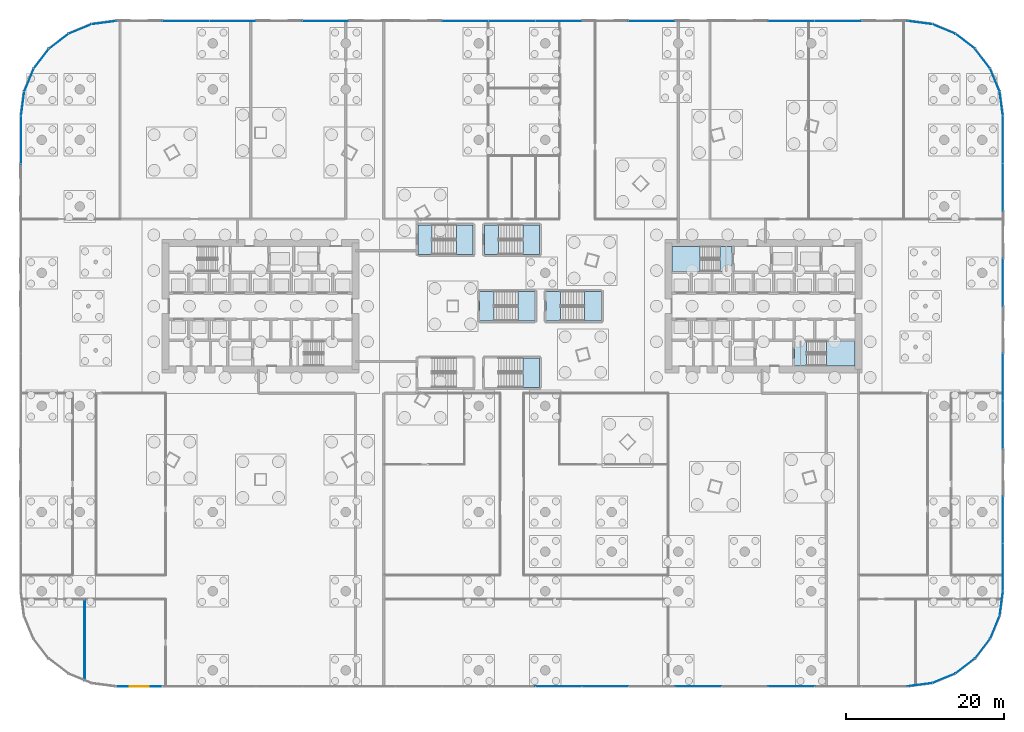
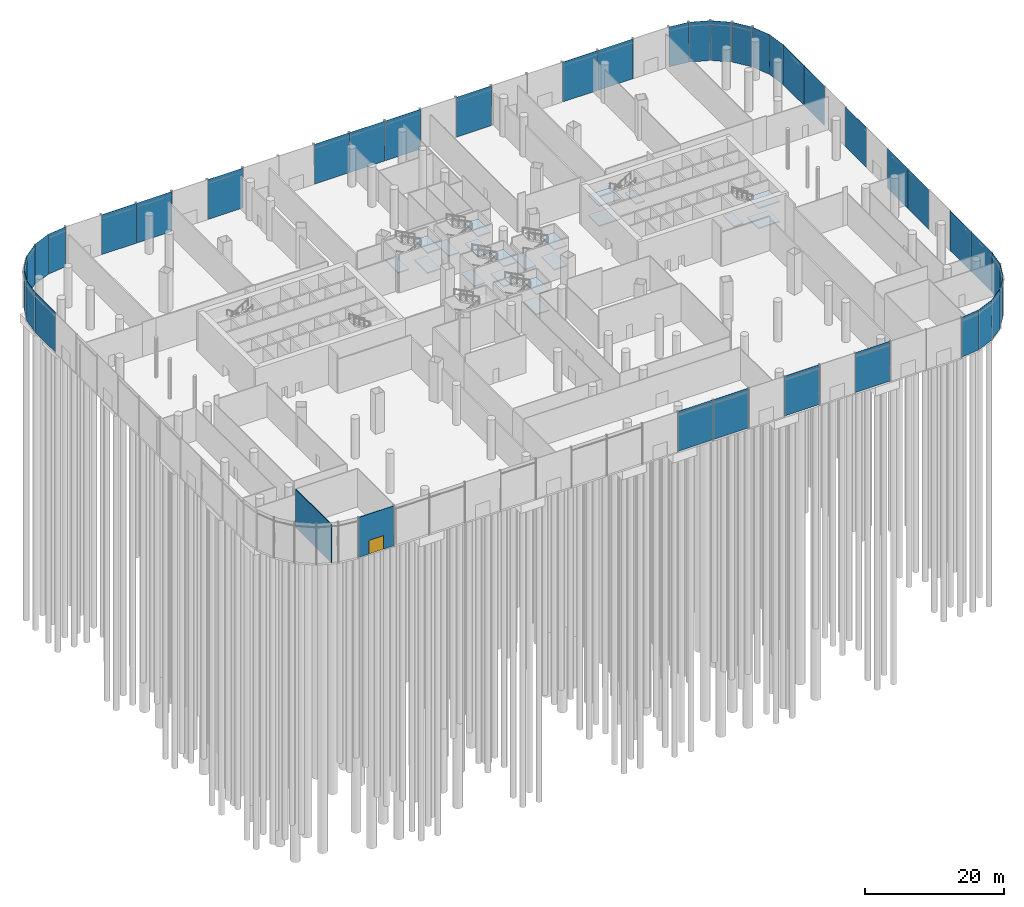
# One storey, part 22 of 41: 39 plates, 20 slabs, 2 walls, 1 door, 1 opening, 8 elements without a shape of their own.
"""IFC4 building model written with IfcOpenShell, lengths in metres."""

from ifc_helpers import new_model, si_unit, direction, frame, frame_2d, origin, origin_2d, place, context, subcontext, project, spatial, polyline, rectangle, outline, extrude, material, layer, layer_set, type_object, element, fill, aggregate, save


model = new_model("IFC4")

# Units and contexts
model_context = context("Model", 3, precision=1e-05, world=origin(), true_north=direction((0.0, 1.0)))
body_context = subcontext(model_context, "Body", "Model", "MODEL_VIEW")
ifc_project = project(units=[si_unit("LENGTHUNIT", "METRE"), si_unit("AREAUNIT", "SQUARE_METRE"), si_unit("VOLUMEUNIT", "CUBIC_METRE"), si_unit("PLANEANGLEUNIT", "RADIAN"), si_unit("MASSUNIT", "GRAM", prefix="KILO")], contexts=[model_context])

# Site, building, storey
site_placement = place(None, origin())
site = spatial("IfcSite", under=ifc_project, at=site_placement, CompositionType="ELEMENT")
building_placement = place(site_placement, origin())
building = spatial("IfcBuilding", under=site, at=building_placement, Name="Rimbun Link Towers", CompositionType="ELEMENT")
storey_placement = place(building_placement, origin())
storey = spatial("IfcBuildingStorey", under=building, at=storey_placement, Name="L00", CompositionType="ELEMENT", Elevation=0.0)

# Curtain wall, plates
ifc_material_1 = material(Name="Aluminium 6063-T6 and low-iron glass", Category="aluminium")
curtain_wall_type = type_object("IfcCurtainWallType", Name="CW3 podium shopfront", PredefinedType="NOTDEFINED", material=ifc_material_1)
curtain_wall_placement = place(storey_placement, origin())
curtain_wall = element("IfcCurtainWall", 1, at=curtain_wall_placement, inside=storey, type_object=curtain_wall_type, Name="CW3 L00 PD", PredefinedType="NOTDEFINED")
ifc_material_2 = material(Name="Clear toughened low-iron glass", Category="glass")
ifc_layer_1 = layer(ifc_material_2, 0.02392578125)
ifc_layer_set_1 = layer_set([ifc_layer_1], Name="CW3 panel Clear toughened low-iron glass 24")
plate_type = type_object("IfcPlateType", Name="CW3 panel Clear toughened low-iron glass 24", PredefinedType="CURTAIN_PANEL", material=ifc_layer_set_1)
plate_1_placement = place(storey_placement, frame((51.554443359375, -47.807373046875, 0.0), z_axis=(0.0, 0.0, 1.0), x_axis=(-0.991444296525, -0.130530482602, 0.0)))
plate_1 = element("IfcPlate", 2, at=plate_1_placement, type_object=plate_type, Name="CW3 panel", PredefinedType="CURTAIN_PANEL", context=body_context, shape_type="SweptSolid", body=[
    extrude(rectangle(XDim=3.092529296875, YDim=0.02392578125, at=origin_2d()), origin(), (0.0, 0.0, 1.0), 7.0),
])
plate_2_placement = place(storey_placement, frame((54.557373046875, -47.002685546875, 0.0), z_axis=(0.0, 0.0, 1.0), x_axis=(-0.923881438965, -0.382678829747, 0.0)))
plate_2 = element("IfcPlate", 3, at=plate_2_placement, type_object=plate_type, Name="CW3 panel", PredefinedType="CURTAIN_PANEL", context=body_context, shape_type="SweptSolid", body=[
    extrude(rectangle(XDim=3.0927734375, YDim=0.02392578125, at=origin_2d()), origin(), (0.0, 0.0, 1.0), 7.0),
])
plate_3_placement = place(storey_placement, frame((57.25, -45.4482421875, 0.0), z_axis=(0.0, 0.0, 1.0), x_axis=(-0.793359162281, -0.608753841569, 0.0)))
plate_3 = element("IfcPlate", 4, at=plate_3_placement, type_object=plate_type, Name="CW3 panel", PredefinedType="CURTAIN_PANEL", context=body_context, shape_type="SweptSolid", body=[
    extrude(rectangle(XDim=3.092529296875, YDim=0.02392578125, at=origin_2d()), origin(), (0.0, 0.0, 1.0), 7.0),
])
plate_4_placement = place(storey_placement, frame((59.4482421875, -43.25, 0.0), z_axis=(0.0, 0.0, 1.0), x_axis=(-0.608753841569, -0.793359162281, 0.0)))
plate_4 = element("IfcPlate", 5, at=plate_4_placement, type_object=plate_type, Name="CW3 panel", PredefinedType="CURTAIN_PANEL", context=body_context, shape_type="SweptSolid", body=[
    extrude(rectangle(XDim=3.092529296875, YDim=0.02392578125, at=origin_2d()), origin(), (0.0, 0.0, 1.0), 7.0),
])
plate_5_placement = place(storey_placement, frame((61.002685546875, -40.557373046875, 0.0), z_axis=(0.0, 0.0, 1.0), x_axis=(-0.382678829747, -0.923881438965, 0.0)))
plate_5 = element("IfcPlate", 6, at=plate_5_placement, type_object=plate_type, Name="CW3 panel", PredefinedType="CURTAIN_PANEL", context=body_context, shape_type="SweptSolid", body=[
    extrude(rectangle(XDim=3.0927734375, YDim=0.02392578125, at=origin_2d()), origin(), (0.0, 0.0, 1.0), 7.0),
])
plate_6_placement = place(storey_placement, frame((61.807373046875, -37.554443359375, 0.0), z_axis=(0.0, 0.0, 1.0), x_axis=(-0.130530482602, -0.991444296525, 0.0)))
plate_6 = element("IfcPlate", 7, at=plate_6_placement, type_object=plate_type, Name="CW3 panel", PredefinedType="CURTAIN_PANEL", context=body_context, shape_type="SweptSolid", body=[
    extrude(rectangle(XDim=3.092529296875, YDim=0.02392578125, at=origin_2d()), origin(), (0.0, 0.0, 1.0), 7.0),
])
plate_7_placement = place(storey_placement, frame((62.011962890625, -33.0, 0.0), z_axis=(0.0, 0.0, 1.0), x_axis=(0.0, -1.0, 0.0)))
plate_7 = element("IfcPlate", 8, at=plate_7_placement, type_object=plate_type, Name="CW3 panel", PredefinedType="CURTAIN_PANEL", context=body_context, shape_type="SweptSolid", body=[
    extrude(rectangle(XDim=5.9599609375, YDim=0.02392578125, at=origin_2d()), origin(), (0.0, 0.0, 1.0), 7.0),
])
plate_8_placement = place(storey_placement, frame((62.011962890625, -27.0, 0.0), z_axis=(0.0, 0.0, 1.0), x_axis=(0.0, -1.0, 0.0)))
plate_8 = element("IfcPlate", 9, at=plate_8_placement, type_object=plate_type, Name="CW3 panel", PredefinedType="CURTAIN_PANEL", context=body_context, shape_type="SweptSolid", body=[
    extrude(rectangle(XDim=5.9599609375, YDim=0.02392578125, at=origin_2d()), origin(), (0.0, 0.0, 1.0), 7.0),
])
plate_9_placement = place(storey_placement, frame((62.011962890625, -15.0, 0.0), z_axis=(0.0, 0.0, 1.0), x_axis=(0.0, -1.0, 0.0)))
plate_9 = element("IfcPlate", 10, at=plate_9_placement, type_object=plate_type, Name="CW3 panel", PredefinedType="CURTAIN_PANEL", context=body_context, shape_type="SweptSolid", body=[
    extrude(rectangle(XDim=5.9599609375, YDim=0.02392578125, at=origin_2d()), origin(), (0.0, 0.0, 1.0), 7.0),
])
plate_10_placement = place(storey_placement, frame((62.011962890625, -9.0, 0.0), z_axis=(0.0, 0.0, 1.0), x_axis=(0.0, -1.0, 0.0)))
plate_10 = element("IfcPlate", 11, at=plate_10_placement, type_object=plate_type, Name="CW3 panel", PredefinedType="CURTAIN_PANEL", context=body_context, shape_type="SweptSolid", body=[
    extrude(rectangle(XDim=5.9599609375, YDim=0.02392578125, at=origin_2d()), origin(), (0.0, 0.0, 1.0), 7.0),
])
plate_11_placement = place(storey_placement, frame((62.011962890625, 3.0, 0.0), z_axis=(0.0, 0.0, 1.0), x_axis=(0.0, -1.0, 0.0)))
plate_11 = element("IfcPlate", 12, at=plate_11_placement, type_object=plate_type, Name="CW3 panel", PredefinedType="CURTAIN_PANEL", context=body_context, shape_type="SweptSolid", body=[
    extrude(rectangle(XDim=5.9599609375, YDim=0.02392578125, at=origin_2d()), origin(), (0.0, 0.0, 1.0), 7.0),
])
plate_12_placement = place(storey_placement, frame((62.011962890625, 15.0, 0.0), z_axis=(0.0, 0.0, 1.0), x_axis=(0.0, -1.0, 0.0)))
plate_12 = element("IfcPlate", 13, at=plate_12_placement, type_object=plate_type, Name="CW3 panel", PredefinedType="CURTAIN_PANEL", context=body_context, shape_type="SweptSolid", body=[
    extrude(rectangle(XDim=5.9599609375, YDim=0.02392578125, at=origin_2d()), origin(), (0.0, 0.0, 1.0), 7.0),
])
plate_13_placement = place(storey_placement, frame((62.011962890625, 21.0, 0.0), z_axis=(0.0, 0.0, 1.0), x_axis=(0.0, -1.0, 0.0)))
plate_13 = element("IfcPlate", 14, at=plate_13_placement, type_object=plate_type, Name="CW3 panel", PredefinedType="CURTAIN_PANEL", context=body_context, shape_type="SweptSolid", body=[
    extrude(rectangle(XDim=5.9599609375, YDim=0.02392578125, at=origin_2d()), origin(), (0.0, 0.0, 1.0), 7.0),
])
plate_14_placement = place(storey_placement, frame((61.807373046875, 25.554443359375, 0.0), z_axis=(0.0, 0.0, 1.0), x_axis=(0.130530482602, -0.991444296525, 0.0)))
plate_14 = element("IfcPlate", 15, at=plate_14_placement, type_object=plate_type, Name="CW3 panel", PredefinedType="CURTAIN_PANEL", context=body_context, shape_type="SweptSolid", body=[
    extrude(rectangle(XDim=3.092529296875, YDim=0.02392578125, at=origin_2d()), origin(), (0.0, 0.0, 1.0), 7.0),
])
plate_15_placement = place(storey_placement, frame((61.002685546875, 28.557373046875, 0.0), z_axis=(0.0, 0.0, 1.0), x_axis=(0.382678829747, -0.923881438965, 0.0)))
plate_15 = element("IfcPlate", 16, at=plate_15_placement, type_object=plate_type, Name="CW3 panel", PredefinedType="CURTAIN_PANEL", context=body_context, shape_type="SweptSolid", body=[
    extrude(rectangle(XDim=3.0927734375, YDim=0.02392578125, at=origin_2d()), origin(), (0.0, 0.0, 1.0), 7.0),
])
plate_16_placement = place(storey_placement, frame((59.4482421875, 31.25, 0.0), z_axis=(0.0, 0.0, 1.0), x_axis=(0.608753841569, -0.793359162281, 0.0)))
plate_16 = element("IfcPlate", 17, at=plate_16_placement, type_object=plate_type, Name="CW3 panel", PredefinedType="CURTAIN_PANEL", context=body_context, shape_type="SweptSolid", body=[
    extrude(rectangle(XDim=3.092529296875, YDim=0.02392578125, at=origin_2d()), origin(), (0.0, 0.0, 1.0), 7.0),
])
plate_17_placement = place(storey_placement, frame((57.25, 33.4482421875, 0.0), z_axis=(0.0, 0.0, 1.0), x_axis=(0.793359162281, -0.608753841569, 0.0)))
plate_17 = element("IfcPlate", 18, at=plate_17_placement, type_object=plate_type, Name="CW3 panel", PredefinedType="CURTAIN_PANEL", context=body_context, shape_type="SweptSolid", body=[
    extrude(rectangle(XDim=3.092529296875, YDim=0.02392578125, at=origin_2d()), origin(), (0.0, 0.0, 1.0), 7.0),
])
plate_18_placement = place(storey_placement, frame((54.557373046875, 35.002685546875, 0.0), z_axis=(0.0, 0.0, 1.0), x_axis=(0.923881438965, -0.382678829747, 0.0)))
plate_18 = element("IfcPlate", 19, at=plate_18_placement, type_object=plate_type, Name="CW3 panel", PredefinedType="CURTAIN_PANEL", context=body_context, shape_type="SweptSolid", body=[
    extrude(rectangle(XDim=3.0927734375, YDim=0.02392578125, at=origin_2d()), origin(), (0.0, 0.0, 1.0), 7.0),
])
plate_19_placement = place(storey_placement, frame((51.554443359375, 35.807373046875, 0.0), z_axis=(0.0, 0.0, 1.0), x_axis=(0.991444296525, -0.130530482602, 0.0)))
plate_19 = element("IfcPlate", 20, at=plate_19_placement, type_object=plate_type, Name="CW3 panel", PredefinedType="CURTAIN_PANEL", context=body_context, shape_type="SweptSolid", body=[
    extrude(rectangle(XDim=3.092529296875, YDim=0.02392578125, at=origin_2d()), origin(), (0.0, 0.0, 1.0), 7.0),
])
plate_20_placement = place(storey_placement, frame((41.176513671875, 36.011962890625, 0.0), z_axis=(0.0, 0.0, 1.0), x_axis=(1.0, 0.0, 0.0)))
plate_20 = element("IfcPlate", 21, at=plate_20_placement, type_object=plate_type, Name="CW3 panel", PredefinedType="CURTAIN_PANEL", context=body_context, shape_type="SweptSolid", body=[
    extrude(rectangle(XDim=5.84228515625, YDim=0.02392578125, at=origin_2d()), origin(), (0.0, 0.0, 1.0), 7.0),
])
plate_21_placement = place(storey_placement, frame((35.294189453125, 36.011962890625, 0.0), z_axis=(0.0, 0.0, 1.0), x_axis=(1.0, 0.0, 0.0)))
plate_21 = element("IfcPlate", 22, at=plate_21_placement, type_object=plate_type, Name="CW3 panel", PredefinedType="CURTAIN_PANEL", context=body_context, shape_type="SweptSolid", body=[
    extrude(rectangle(XDim=5.84228515625, YDim=0.02392578125, at=origin_2d()), origin(), (0.0, 0.0, 1.0), 7.0),
])
plate_22_placement = place(storey_placement, frame((17.64697265625, 36.011962890625, 0.0), z_axis=(0.0, 0.0, 1.0), x_axis=(1.0, 0.0, 0.0)))
plate_22 = element("IfcPlate", 23, at=plate_22_placement, type_object=plate_type, Name="CW3 panel", PredefinedType="CURTAIN_PANEL", context=body_context, shape_type="SweptSolid", body=[
    extrude(rectangle(XDim=5.84228515625, YDim=0.02392578125, at=origin_2d()), origin(), (0.0, 0.0, 1.0), 7.0),
])
plate_23_placement = place(storey_placement, frame((5.88232421875, 36.011962890625, 0.0), z_axis=(0.0, 0.0, 1.0), x_axis=(1.0, 0.0, 0.0)))
plate_23 = element("IfcPlate", 24, at=plate_23_placement, type_object=plate_type, Name="CW3 panel", PredefinedType="CURTAIN_PANEL", context=body_context, shape_type="SweptSolid", body=[
    extrude(rectangle(XDim=5.84228515625, YDim=0.02392578125, at=origin_2d()), origin(), (0.0, 0.0, 1.0), 7.0),
])
plate_24_placement = place(storey_placement, frame((0.0, 36.011962890625, 0.0), z_axis=(0.0, 0.0, 1.0), x_axis=(1.0, 0.0, 0.0)))
plate_24 = element("IfcPlate", 25, at=plate_24_placement, type_object=plate_type, Name="CW3 panel", PredefinedType="CURTAIN_PANEL", context=body_context, shape_type="SweptSolid", body=[
    extrude(rectangle(XDim=5.84228515625, YDim=0.02392578125, at=origin_2d()), origin(), (0.0, 0.0, 1.0), 7.0),
])
plate_25_placement = place(storey_placement, frame((-5.88232421875, 36.011962890625, 0.0), z_axis=(0.0, 0.0, 1.0), x_axis=(1.0, 0.0, 0.0)))
plate_25 = element("IfcPlate", 26, at=plate_25_placement, type_object=plate_type, Name="CW3 panel", PredefinedType="CURTAIN_PANEL", context=body_context, shape_type="SweptSolid", body=[
    extrude(rectangle(XDim=5.84228515625, YDim=0.02392578125, at=origin_2d()), origin(), (0.0, 0.0, 1.0), 7.0),
])
plate_26_placement = place(storey_placement, frame((-23.529296875, 36.011962890625, 0.0), z_axis=(0.0, 0.0, 1.0), x_axis=(1.0, 0.0, 0.0)))
plate_26 = element("IfcPlate", 27, at=plate_26_placement, type_object=plate_type, Name="CW3 panel", PredefinedType="CURTAIN_PANEL", context=body_context, shape_type="SweptSolid", body=[
    extrude(rectangle(XDim=5.84228515625, YDim=0.02392578125, at=origin_2d()), origin(), (0.0, 0.0, 1.0), 7.0),
])
plate_27_placement = place(storey_placement, frame((-35.294189453125, 36.011962890625, 0.0), z_axis=(0.0, 0.0, 1.0), x_axis=(1.0, 0.0, 0.0)))
plate_27 = element("IfcPlate", 28, at=plate_27_placement, type_object=plate_type, Name="CW3 panel", PredefinedType="CURTAIN_PANEL", context=body_context, shape_type="SweptSolid", body=[
    extrude(rectangle(XDim=5.84228515625, YDim=0.02392578125, at=origin_2d()), origin(), (0.0, 0.0, 1.0), 7.0),
])
plate_28_placement = place(storey_placement, frame((-41.176513671875, 36.011962890625, 0.0), z_axis=(0.0, 0.0, 1.0), x_axis=(1.0, 0.0, 0.0)))
plate_28 = element("IfcPlate", 29, at=plate_28_placement, type_object=plate_type, Name="CW3 panel", PredefinedType="CURTAIN_PANEL", context=body_context, shape_type="SweptSolid", body=[
    extrude(rectangle(XDim=5.84228515625, YDim=0.02392578125, at=origin_2d()), origin(), (0.0, 0.0, 1.0), 7.0),
])
plate_29_placement = place(storey_placement, frame((-51.554443359375, 35.807373046875, 0.0), z_axis=(0.0, 0.0, 1.0), x_axis=(0.991444296525, 0.130530482602, 0.0)))
plate_29 = element("IfcPlate", 30, at=plate_29_placement, type_object=plate_type, Name="CW3 panel", PredefinedType="CURTAIN_PANEL", context=body_context, shape_type="SweptSolid", body=[
    extrude(rectangle(XDim=3.092529296875, YDim=0.02392578125, at=origin_2d()), origin(), (0.0, 0.0, 1.0), 7.0),
])
plate_30_placement = place(storey_placement, frame((-54.557373046875, 35.002685546875, 0.0), z_axis=(0.0, 0.0, 1.0), x_axis=(0.923881438965, 0.382678829747, 0.0)))
plate_30 = element("IfcPlate", 31, at=plate_30_placement, type_object=plate_type, Name="CW3 panel", PredefinedType="CURTAIN_PANEL", context=body_context, shape_type="SweptSolid", body=[
    extrude(rectangle(XDim=3.0927734375, YDim=0.02392578125, at=origin_2d()), origin(), (0.0, 0.0, 1.0), 7.0),
])
plate_31_placement = place(storey_placement, frame((-57.25, 33.4482421875, 0.0), z_axis=(0.0, 0.0, 1.0), x_axis=(0.793359162281, 0.608753841569, 0.0)))
plate_31 = element("IfcPlate", 32, at=plate_31_placement, type_object=plate_type, Name="CW3 panel", PredefinedType="CURTAIN_PANEL", context=body_context, shape_type="SweptSolid", body=[
    extrude(rectangle(XDim=3.092529296875, YDim=0.02392578125, at=origin_2d()), origin(), (0.0, 0.0, 1.0), 7.0),
])
plate_32_placement = place(storey_placement, frame((-59.4482421875, 31.25, 0.0), z_axis=(0.0, 0.0, 1.0), x_axis=(0.608753841569, 0.793359162281, 0.0)))
plate_32 = element("IfcPlate", 33, at=plate_32_placement, type_object=plate_type, Name="CW3 panel", PredefinedType="CURTAIN_PANEL", context=body_context, shape_type="SweptSolid", body=[
    extrude(rectangle(XDim=3.092529296875, YDim=0.02392578125, at=origin_2d()), origin(), (0.0, 0.0, 1.0), 7.0),
])
plate_33_placement = place(storey_placement, frame((-61.002685546875, 28.557373046875, 0.0), z_axis=(0.0, 0.0, 1.0), x_axis=(0.382678829747, 0.923881438965, 0.0)))
plate_33 = element("IfcPlate", 34, at=plate_33_placement, type_object=plate_type, Name="CW3 panel", PredefinedType="CURTAIN_PANEL", context=body_context, shape_type="SweptSolid", body=[
    extrude(rectangle(XDim=3.0927734375, YDim=0.02392578125, at=origin_2d()), origin(), (0.0, 0.0, 1.0), 7.0),
])
plate_34_placement = place(storey_placement, frame((-61.807373046875, 25.554443359375, 0.0), z_axis=(0.0, 0.0, 1.0), x_axis=(0.130530482602, 0.991444296525, 0.0)))
plate_34 = element("IfcPlate", 35, at=plate_34_placement, type_object=plate_type, Name="CW3 panel", PredefinedType="CURTAIN_PANEL", context=body_context, shape_type="SweptSolid", body=[
    extrude(rectangle(XDim=3.092529296875, YDim=0.02392578125, at=origin_2d()), origin(), (0.0, 0.0, 1.0), 7.0),
])
plate_35_placement = place(storey_placement, frame((-62.011962890625, 21.0, 0.0), z_axis=(0.0, 0.0, 1.0), x_axis=(0.0, 1.0, 0.0)))
plate_35 = element("IfcPlate", 36, at=plate_35_placement, type_object=plate_type, Name="CW3 panel", PredefinedType="CURTAIN_PANEL", context=body_context, shape_type="SweptSolid", body=[
    extrude(rectangle(XDim=5.9599609375, YDim=0.02392578125, at=origin_2d()), origin(), (0.0, 0.0, 1.0), 7.0),
])
plate_36_placement = place(storey_placement, frame((5.88232421875, -48.011962890625, 0.0), z_axis=(0.0, 0.0, 1.0), x_axis=(-1.0, 0.0, 0.0)))
plate_36 = element("IfcPlate", 37, at=plate_36_placement, type_object=plate_type, Name="CW3 panel", PredefinedType="CURTAIN_PANEL", context=body_context, shape_type="SweptSolid", body=[
    extrude(rectangle(XDim=5.84228515625, YDim=0.02392578125, at=origin_2d()), origin(), (0.0, 0.0, 1.0), 7.0),
])
plate_37_placement = place(storey_placement, frame((11.7646484375, -48.011962890625, 0.0), z_axis=(0.0, 0.0, 1.0), x_axis=(-1.0, 0.0, 0.0)))
plate_37 = element("IfcPlate", 38, at=plate_37_placement, type_object=plate_type, Name="CW3 panel", PredefinedType="CURTAIN_PANEL", context=body_context, shape_type="SweptSolid", body=[
    extrude(rectangle(XDim=5.84228515625, YDim=0.02392578125, at=origin_2d()), origin(), (0.0, 0.0, 1.0), 7.0),
])
plate_38_placement = place(storey_placement, frame((23.529296875, -48.011962890625, 0.0), z_axis=(0.0, 0.0, 1.0), x_axis=(-1.0, 0.0, 0.0)))
plate_38 = element("IfcPlate", 39, at=plate_38_placement, type_object=plate_type, Name="CW3 panel", PredefinedType="CURTAIN_PANEL", context=body_context, shape_type="SweptSolid", body=[
    extrude(rectangle(XDim=5.84228515625, YDim=0.02392578125, at=origin_2d()), origin(), (0.0, 0.0, 1.0), 7.0),
])
plate_39_placement = place(storey_placement, frame((35.294189453125, -48.011962890625, 0.0), z_axis=(0.0, 0.0, 1.0), x_axis=(-1.0, 0.0, 0.0)))
plate_39 = element("IfcPlate", 40, at=plate_39_placement, type_object=plate_type, Name="CW3 panel", PredefinedType="CURTAIN_PANEL", context=body_context, shape_type="SweptSolid", body=[
    extrude(rectangle(XDim=5.84228515625, YDim=0.02392578125, at=origin_2d()), origin(), (0.0, 0.0, 1.0), 7.0),
])
aggregate(curtain_wall, [plate_1, plate_2, plate_3, plate_4, plate_5, plate_6, plate_7, plate_8, plate_9, plate_10, plate_11, plate_12, plate_13, plate_14, plate_15, plate_16, plate_17, plate_18, plate_19, plate_20, plate_21, plate_22, plate_23, plate_24, plate_25, plate_26, plate_27, plate_28, plate_29, plate_30, plate_31, plate_32, plate_33, plate_34, plate_35, plate_36, plate_37, plate_38, plate_39])

# Stair, slabs
ifc_material_3 = material(Name="Concrete C40/50", Category="concrete")
stair_type_1 = type_object("IfcStairType", Name="Exit stair 7000 rise", PredefinedType="HALF_TURN_STAIR", material=ifc_material_3)
stair_1_placement = place(storey_placement, origin())
stair_1 = element("IfcStair", 41, at=stair_1_placement, inside=storey, type_object=stair_type_1, Name="L00 EXIT STAIR A", PredefinedType="HALF_TURN_STAIR")
ifc_material_4 = material(Name="Concrete C40/50", Category="concrete")
ifc_layer_2 = layer(ifc_material_4, 0.199951171875)
ifc_layer_set_2 = layer_set([ifc_layer_2], Name="Stair landing")
slab_type = type_object("IfcSlabType", Name="Stair landing", PredefinedType="LANDING", material=ifc_layer_set_2)
slab_1_placement = place(storey_placement, frame((0.0, 0.0, 1.550048828125)))
slab_1 = element("IfcSlab", 42, at=slab_1_placement, type_object=slab_type, Name="ST3 landing 1", PredefinedType="LANDING", context=body_context, shape_type="SweptSolid", body=[
    extrude(outline(polyline([(23.780029296875, 7.550048828125), (20.199951171875, 7.550048828125), (20.199951171875, 4.39990234375), (23.780029296875, 4.39990234375), (23.780029296875, 7.550048828125)])), origin(), (0.0, 0.0, 1.0), 0.199951171875),
])
slab_2_placement = place(storey_placement, frame((0.0, 0.0, 3.300048828125)))
slab_2 = element("IfcSlab", 43, at=slab_2_placement, type_object=slab_type, Name="ST3 landing 2", PredefinedType="LANDING", context=body_context, shape_type="SweptSolid", body=[
    extrude(outline(polyline([(27.800048828125, 7.550048828125), (26.300048828125, 7.550048828125), (26.300048828125, 4.39990234375), (27.800048828125, 4.39990234375), (27.800048828125, 7.550048828125)])), origin(), (0.0, 0.0, 1.0), 0.199951171875),
])
slab_3_placement = place(storey_placement, frame((0.0, 0.0, 5.050048828125)))
slab_3 = element("IfcSlab", 44, at=slab_3_placement, type_object=slab_type, Name="ST3 landing 3", PredefinedType="LANDING", context=body_context, shape_type="SweptSolid", body=[
    extrude(outline(polyline([(23.780029296875, 7.550048828125), (20.199951171875, 7.550048828125), (20.199951171875, 4.39990234375), (23.780029296875, 4.39990234375), (23.780029296875, 7.550048828125)])), origin(), (0.0, 0.0, 1.0), 0.199951171875),
])
aggregate(stair_1, [slab_1, slab_2, slab_3])

stair_2_placement = place(storey_placement, origin())
stair_2 = element("IfcStair", 45, at=stair_2_placement, inside=storey, type_object=stair_type_1, Name="L00 EXIT STAIR B", PredefinedType="HALF_TURN_STAIR")
slab_4_placement = place(storey_placement, frame((0.0, 0.0, 1.550048828125)))
slab_4 = element("IfcSlab", 46, at=slab_4_placement, type_object=slab_type, Name="ST4 landing 1", PredefinedType="LANDING", context=body_context, shape_type="SweptSolid", body=[
    extrude(outline(polyline([(39.719970703125, -7.550048828125), (43.300048828125, -7.550048828125), (43.300048828125, -4.39990234375), (39.719970703125, -4.39990234375), (39.719970703125, -7.550048828125)])), origin(), (0.0, 0.0, 1.0), 0.199951171875),
])
slab_5_placement = place(storey_placement, frame((0.0, 0.0, 3.300048828125)))
slab_5 = element("IfcSlab", 47, at=slab_5_placement, type_object=slab_type, Name="ST4 landing 2", PredefinedType="LANDING", context=body_context, shape_type="SweptSolid", body=[
    extrude(outline(polyline([(35.699951171875, -7.550048828125), (37.199951171875, -7.550048828125), (37.199951171875, -4.39990234375), (35.699951171875, -4.39990234375), (35.699951171875, -7.550048828125)])), origin(), (0.0, 0.0, 1.0), 0.199951171875),
])
slab_6_placement = place(storey_placement, frame((0.0, 0.0, 5.050048828125)))
slab_6 = element("IfcSlab", 48, at=slab_6_placement, type_object=slab_type, Name="ST4 landing 3", PredefinedType="LANDING", context=body_context, shape_type="SweptSolid", body=[
    extrude(outline(polyline([(39.719970703125, -7.550048828125), (43.300048828125, -7.550048828125), (43.300048828125, -4.39990234375), (39.719970703125, -4.39990234375), (39.719970703125, -7.550048828125)])), origin(), (0.0, 0.0, 1.0), 0.199951171875),
])
aggregate(stair_2, [slab_4, slab_5, slab_6])

ifc_material_5 = material(Name="Concrete C40/50", Category="concrete")
stair_type_2 = type_object("IfcStairType", Name="Podium exit stair 1800", PredefinedType="HALF_TURN_STAIR", material=ifc_material_5)
stair_3_placement = place(storey_placement, origin())
stair_3 = element("IfcStair", 49, at=stair_3_placement, inside=storey, type_object=stair_type_2, Name="L00 PODIUM EXIT STAIR", PredefinedType="HALF_TURN_STAIR")
slab_7_placement = place(storey_placement, frame((0.0, 0.0, 1.550048828125)))
slab_7 = element("IfcSlab", 50, at=slab_7_placement, type_object=slab_type, Name="PS2 landing 1", PredefinedType="LANDING", context=body_context, shape_type="SweptSolid", body=[
    extrude(outline(polyline([(1.360107421875, -10.27490234375), (3.5, -10.27490234375), (3.5, -6.52490234375), (1.360107421875, -6.52490234375), (1.360107421875, -10.27490234375)])), origin(), (0.0, 0.0, 1.0), 0.199951171875),
])
slab_8_placement = place(storey_placement, frame((0.0, 0.0, 5.050048828125)))
slab_8 = element("IfcSlab", 51, at=slab_8_placement, type_object=slab_type, Name="PS2 landing 3", PredefinedType="LANDING", context=body_context, shape_type="SweptSolid", body=[
    extrude(outline(polyline([(1.360107421875, -10.27490234375), (3.5, -10.27490234375), (3.5, -6.52490234375), (1.360107421875, -6.52490234375), (1.360107421875, -10.27490234375)])), origin(), (0.0, 0.0, 1.0), 0.199951171875),
])
aggregate(stair_3, [slab_7, slab_8])

stair_4_placement = place(storey_placement, origin())
stair_4 = element("IfcStair", 52, at=stair_4_placement, inside=storey, type_object=stair_type_2, Name="L00 PODIUM EXIT STAIR", PredefinedType="HALF_TURN_STAIR")
slab_9_placement = place(storey_placement, frame((0.0, 0.0, 1.550048828125)))
slab_9 = element("IfcSlab", 53, at=slab_9_placement, type_object=slab_type, Name="PS3 landing 1", PredefinedType="LANDING", context=body_context, shape_type="SweptSolid", body=[
    extrude(outline(polyline([(-7.0400390625, 6.52490234375), (-4.89990234375, 6.52490234375), (-4.89990234375, 10.27490234375), (-7.0400390625, 10.27490234375), (-7.0400390625, 6.52490234375)])), origin(), (0.0, 0.0, 1.0), 0.199951171875),
])
slab_10_placement = place(storey_placement, frame((0.0, 0.0, 3.300048828125)))
slab_10 = element("IfcSlab", 54, at=slab_10_placement, type_object=slab_type, Name="PS3 landing 2", PredefinedType="LANDING", context=body_context, shape_type="SweptSolid", body=[
    extrude(outline(polyline([(-11.89990234375, 6.52490234375), (-10.10009765625, 6.52490234375), (-10.10009765625, 10.27490234375), (-11.89990234375, 10.27490234375), (-11.89990234375, 6.52490234375)])), origin(), (0.0, 0.0, 1.0), 0.199951171875),
])
slab_11_placement = place(storey_placement, frame((0.0, 0.0, 5.050048828125)))
slab_11 = element("IfcSlab", 55, at=slab_11_placement, type_object=slab_type, Name="PS3 landing 3", PredefinedType="LANDING", context=body_context, shape_type="SweptSolid", body=[
    extrude(outline(polyline([(-7.0400390625, 6.52490234375), (-4.89990234375, 6.52490234375), (-4.89990234375, 10.27490234375), (-7.0400390625, 10.27490234375), (-7.0400390625, 6.52490234375)])), origin(), (0.0, 0.0, 1.0), 0.199951171875),
])
aggregate(stair_4, [slab_9, slab_10, slab_11])

stair_5_placement = place(storey_placement, origin())
stair_5 = element("IfcStair", 56, at=stair_5_placement, inside=storey, type_object=stair_type_2, Name="L00 PODIUM EXIT STAIR", PredefinedType="HALF_TURN_STAIR")
slab_12_placement = place(storey_placement, frame((0.0, 0.0, 1.550048828125)))
slab_12 = element("IfcSlab", 57, at=slab_12_placement, type_object=slab_type, Name="PS4 landing 1", PredefinedType="LANDING", context=body_context, shape_type="SweptSolid", body=[
    extrude(outline(polyline([(1.360107421875, 6.52490234375), (3.5, 6.52490234375), (3.5, 10.27490234375), (1.360107421875, 10.27490234375), (1.360107421875, 6.52490234375)])), origin(), (0.0, 0.0, 1.0), 0.199951171875),
])
slab_13_placement = place(storey_placement, frame((0.0, 0.0, 3.300048828125)))
slab_13 = element("IfcSlab", 58, at=slab_13_placement, type_object=slab_type, Name="PS4 landing 2", PredefinedType="LANDING", context=body_context, shape_type="SweptSolid", body=[
    extrude(outline(polyline([(-3.5, 6.52490234375), (-1.699951171875, 6.52490234375), (-1.699951171875, 10.27490234375), (-3.5, 10.27490234375), (-3.5, 6.52490234375)])), origin(), (0.0, 0.0, 1.0), 0.199951171875),
])
slab_14_placement = place(storey_placement, frame((0.0, 0.0, 5.050048828125)))
slab_14 = element("IfcSlab", 59, at=slab_14_placement, type_object=slab_type, Name="PS4 landing 3", PredefinedType="LANDING", context=body_context, shape_type="SweptSolid", body=[
    extrude(outline(polyline([(1.360107421875, 6.52490234375), (3.5, 6.52490234375), (3.5, 10.27490234375), (1.360107421875, 10.27490234375), (1.360107421875, 6.52490234375)])), origin(), (0.0, 0.0, 1.0), 0.199951171875),
])
aggregate(stair_5, [slab_12, slab_13, slab_14])

stair_6_placement = place(storey_placement, origin())
stair_6 = element("IfcStair", 60, at=stair_6_placement, inside=storey, type_object=stair_type_2, Name="L00 PODIUM EXIT STAIR", PredefinedType="HALF_TURN_STAIR")
slab_15_placement = place(storey_placement, frame((0.0, 0.0, 1.550048828125)))
slab_15 = element("IfcSlab", 61, at=slab_15_placement, type_object=slab_type, Name="PS5 landing 1", PredefinedType="LANDING", context=body_context, shape_type="SweptSolid", body=[
    extrude(outline(polyline([(9.159912109375, -1.875), (11.300048828125, -1.875), (11.300048828125, 1.875), (9.159912109375, 1.875), (9.159912109375, -1.875)])), origin(), (0.0, 0.0, 1.0), 0.199951171875),
])
slab_16_placement = place(storey_placement, frame((0.0, 0.0, 3.300048828125)))
slab_16 = element("IfcSlab", 62, at=slab_16_placement, type_object=slab_type, Name="PS5 landing 2", PredefinedType="LANDING", context=body_context, shape_type="SweptSolid", body=[
    extrude(outline(polyline([(4.300048828125, -1.875), (6.10009765625, -1.875), (6.10009765625, 1.875), (4.300048828125, 1.875), (4.300048828125, -1.875)])), origin(), (0.0, 0.0, 1.0), 0.199951171875),
])
slab_17_placement = place(storey_placement, frame((0.0, 0.0, 5.050048828125)))
slab_17 = element("IfcSlab", 63, at=slab_17_placement, type_object=slab_type, Name="PS5 landing 3", PredefinedType="LANDING", context=body_context, shape_type="SweptSolid", body=[
    extrude(outline(polyline([(9.159912109375, -1.875), (11.300048828125, -1.875), (11.300048828125, 1.875), (9.159912109375, 1.875), (9.159912109375, -1.875)])), origin(), (0.0, 0.0, 1.0), 0.199951171875),
])
aggregate(stair_6, [slab_15, slab_16, slab_17])

stair_7_placement = place(storey_placement, origin())
stair_7 = element("IfcStair", 64, at=stair_7_placement, inside=storey, type_object=stair_type_2, Name="L00 PODIUM EXIT STAIR", PredefinedType="HALF_TURN_STAIR")
slab_18_placement = place(storey_placement, frame((0.0, 0.0, 1.550048828125)))
slab_18 = element("IfcSlab", 65, at=slab_18_placement, type_object=slab_type, Name="PS6 landing 1", PredefinedType="LANDING", context=body_context, shape_type="SweptSolid", body=[
    extrude(outline(polyline([(0.760009765625, -1.875), (2.89990234375, -1.875), (2.89990234375, 1.875), (0.760009765625, 1.875), (0.760009765625, -1.875)])), origin(), (0.0, 0.0, 1.0), 0.199951171875),
])
slab_19_placement = place(storey_placement, frame((0.0, 0.0, 3.300048828125)))
slab_19 = element("IfcSlab", 66, at=slab_19_placement, type_object=slab_type, Name="PS6 landing 2", PredefinedType="LANDING", context=body_context, shape_type="SweptSolid", body=[
    extrude(outline(polyline([(-4.10009765625, -1.875), (-2.300048828125, -1.875), (-2.300048828125, 1.875), (-4.10009765625, 1.875), (-4.10009765625, -1.875)])), origin(), (0.0, 0.0, 1.0), 0.199951171875),
])
slab_20_placement = place(storey_placement, frame((0.0, 0.0, 5.050048828125)))
slab_20 = element("IfcSlab", 67, at=slab_20_placement, type_object=slab_type, Name="PS6 landing 3", PredefinedType="LANDING", context=body_context, shape_type="SweptSolid", body=[
    extrude(outline(polyline([(0.760009765625, -1.875), (2.89990234375, -1.875), (2.89990234375, 1.875), (0.760009765625, 1.875), (0.760009765625, -1.875)])), origin(), (0.0, 0.0, 1.0), 0.199951171875),
])
aggregate(stair_7, [slab_18, slab_19, slab_20])

# Wall, opening, door
ifc_material_6 = material(Name="Aluminium framed insulated infill panel", Category="aluminium")
ifc_layer_3 = layer(ifc_material_6, 0.10009765625)
ifc_layer_set_3 = layer_set([ifc_layer_3], Name="ED framed infill wall 100")
wall_type_1 = type_object("IfcWallType", Name="ED framed infill wall 100", PredefinedType="STANDARD", material=ifc_layer_set_3)
wall_1_placement = place(storey_placement, frame((-44.1376953125, -48.050048828125, 0.0), z_axis=(0.0, 0.0, 1.0), x_axis=(-1.0, 0.0, 0.0)))
wall_1 = element("IfcWall", 68, at=wall_1_placement, inside=storey, type_object=wall_type_1, Name="Framed door bay wall", PredefinedType="STANDARD", context=body_context, shape_type="SweptSolid", body=[
    extrude(rectangle(XDim=5.84228515625, YDim=0.10009765625, at=frame_2d((2.921142578125, 0.0))), origin(), (0.0, 0.0, 1.0), 7.0),
])
opening_placement = place(wall_1_placement, frame((1.72119140625, 0.0, 0.0)))
opening = element("IfcOpeningElement", 69, at=opening_placement, cuts=wall_1, Name="Opening ED15", PredefinedType="OPENING", context=body_context, shape_type="SweptSolid", body=[
    extrude(rectangle(XDim=2.39990234375, YDim=2.39990234375, at=frame_2d((1.199951171875, 1.199951171875))), frame((0.0, 0.06005859375, 0.0), z_axis=(0.0, -1.0, 0.0), x_axis=(1.0, 0.0, 0.0)), (0.0, 0.0, 1.0), 0.1201171875),
])
ifc_material_7 = material(Name="Aluminium framed glazed door, low-iron glass", Category="aluminium")
door_type = type_object("IfcDoorType", Name="ED entrance door double leaf 2400X2400", OperationType="DOUBLE_DOOR_SINGLE_SWING", PredefinedType="DOOR", material=ifc_material_7)
door_placement = place(opening_placement, origin())
door = element("IfcDoor", 70, at=door_placement, inside=storey, type_object=door_type, Name="Entrance door", OperationType="SINGLE_SWING_LEFT", OverallHeight=2.39990234375, OverallWidth=2.39990234375, PredefinedType="DOOR", context=body_context, shape_type="SweptSolid", body=[
    extrude(rectangle(XDim=2.39990234375, YDim=2.39990234375, at=frame_2d((1.199951171875, 1.199951171875))), frame((0.0, 0.02490234375, 0.0), z_axis=(0.0, -1.0, 0.0), x_axis=(1.0, 0.0, 0.0)), (0.0, 0.0, 1.0), 0.050048828125),
])
fill(opening, door)

# Wall
ifc_material_8 = material(Name="Gypsum board on steel studs", Category="steel")
ifc_layer_4 = layer(ifc_material_8, 0.125)
ifc_layer_set_4 = layer_set([ifc_layer_4], Name="Partition 125 board on studs")
wall_type_2 = type_object("IfcWallType", Name="Partition 125 board on studs", PredefinedType="PARTITIONING", material=ifc_layer_set_4)
wall_2_placement = place(storey_placement, frame((-54.0, -47.30078125, 0.0), z_axis=(0.0, 0.0, 1.0), x_axis=(0.0, 1.0, 0.0)))
element("IfcWall", 71, at=wall_2_placement, inside=storey, type_object=wall_type_2, Name="PD/PW/L00/107", PredefinedType="PARTITIONING", context=body_context, shape_type="SweptSolid", body=[
    extrude(rectangle(XDim=10.23828125, YDim=0.125, at=frame_2d((5.119140625, 0.0))), origin(), (0.0, 0.0, 1.0), 6.699951171875),
])

save(model, "model.ifc")
